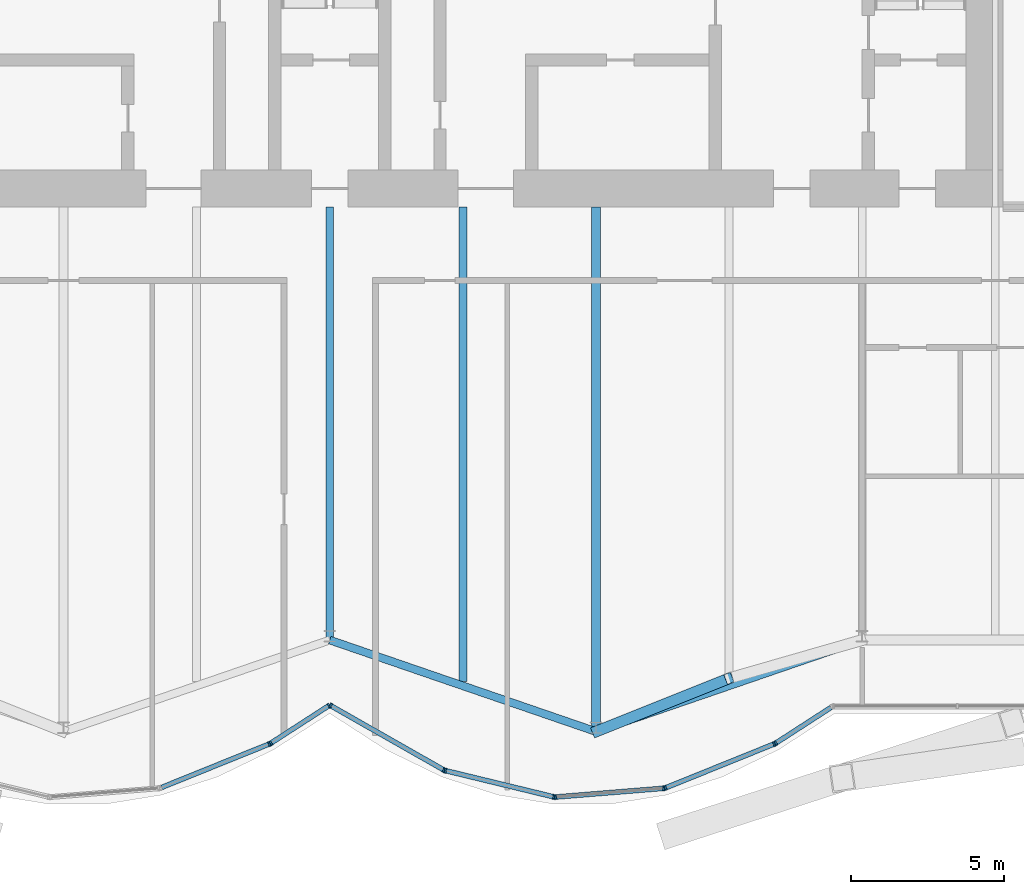
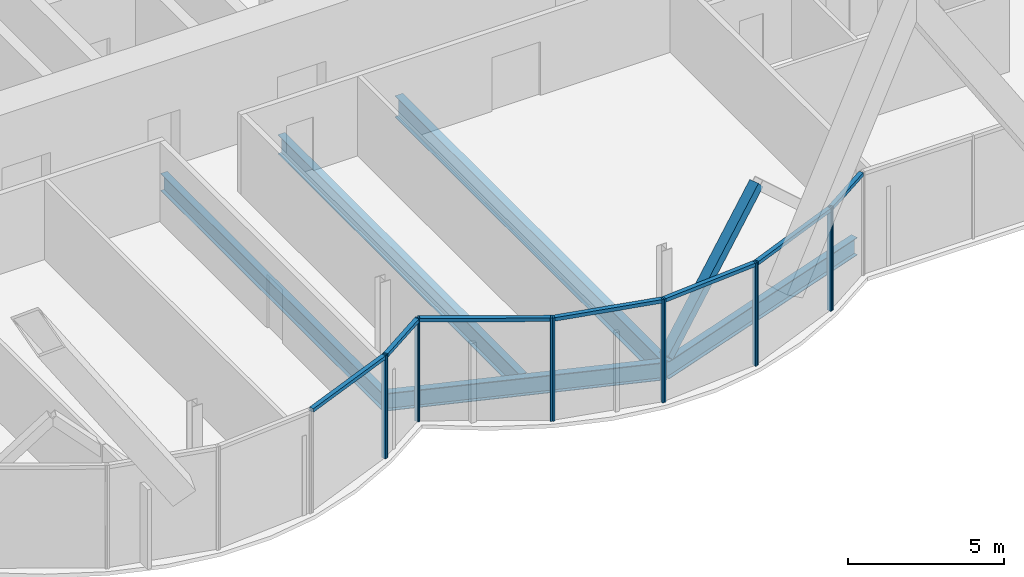
# One storey, part 9 of 22: 20 members, 5 beams, 2 elements without a shape of their own.
"""IFC4 building model written with IfcOpenShell, lengths in metres."""

from ifc_helpers import new_model, si_unit, direction, frame, origin, origin_2d, place, context, subcontext, project, spatial, rectangle, hollow_rectangle, i_section, extrude, material, material_profile, profile_set, type_object, element, aggregate, save


model = new_model("IFC4")

# Units and contexts
model_context = context("Model", 3, precision=1e-05, world=origin(), true_north=direction((0.0, 1.0)))
body_context = subcontext(model_context, "Body", "Model", "MODEL_VIEW")
ifc_project = project(units=[si_unit("LENGTHUNIT", "METRE"), si_unit("AREAUNIT", "SQUARE_METRE"), si_unit("VOLUMEUNIT", "CUBIC_METRE"), si_unit("PLANEANGLEUNIT", "RADIAN"), si_unit("MASSUNIT", "GRAM", prefix="KILO")], contexts=[model_context])

# Site, building, storey
site_placement = place(None, origin())
site = spatial("IfcSite", under=ifc_project, at=site_placement, CompositionType="ELEMENT")
building_placement = place(site_placement, origin())
building = spatial("IfcBuilding", under=site, at=building_placement, Name="Bicima Exchange Tower", CompositionType="ELEMENT")
storey_placement = place(building_placement, frame((0.0, 0.0, 254.0)))
storey = spatial("IfcBuildingStorey", under=building, at=storey_placement, Name="L57", CompositionType="ELEMENT", Elevation=254.0)

# Beams
ifc_material_1 = material(Name="Steel ASTM A992 Gr 50", Category="steel")
ifc_material_profile_1 = material_profile(ifc_material_1, i_section(OverallWidth=0.25390625, OverallDepth=0.67822265625, WebThickness=0.01171875, FlangeThickness=0.016357421875, at=origin_2d()))
ifc_profile_set_1 = profile_set([ifc_material_profile_1], Name="Steel ASTM A992 Gr 50")
beam_type_1 = type_object("IfcBeamType", Name="Floor beam W27x84", PredefinedType="JOIST", material=ifc_profile_set_1)
beam_1_placement = place(storey_placement, frame((0.0, -13.0, -0.489013671875), z_axis=(0.0, -1.0, 0.0), x_axis=(1.0, 0.0, 0.0)))
element("IfcBeam", 1, at=beam_1_placement, inside=storey, type_object=beam_type_1, Name="Floor beam", PredefinedType="JOIST", context=body_context, shape_type="SweptSolid", body=[
    extrude(i_section(OverallWidth=0.25390625, OverallDepth=0.67822265625, WebThickness=0.01171875, FlangeThickness=0.016357421875, at=origin_2d()), origin(), (0.0, 0.0, 1.0), 14.156005859375),
])
ifc_material_profile_2 = material_profile(ifc_material_1, i_section(OverallWidth=0.2666015625, OverallDepth=0.75439453125, WebThickness=0.01318359375, FlangeThickness=0.01708984375, at=origin_2d()))
ifc_profile_set_2 = profile_set([ifc_material_profile_2], Name="Steel ASTM A992 Gr 50")
beam_type_2 = type_object("IfcBeamType", Name="Floor beam W30x99", PredefinedType="JOIST", material=ifc_profile_set_2)
beam_2_placement = place(storey_placement, frame((4.35009765625, -13.0, -0.527099609375), z_axis=(0.0, -1.0, 0.0), x_axis=(1.0, 0.0, 0.0)))
element("IfcBeam", 2, at=beam_2_placement, inside=storey, type_object=beam_type_2, Name="Floor beam", PredefinedType="JOIST", context=body_context, shape_type="SweptSolid", body=[
    extrude(i_section(OverallWidth=0.2666015625, OverallDepth=0.75439453125, WebThickness=0.01318359375, FlangeThickness=0.01708984375, at=origin_2d()), origin(), (0.0, 0.0, 1.0), 15.515869140625),
])
ifc_material_profile_3 = material_profile(ifc_material_1, i_section(OverallWidth=0.2919921875, OverallDepth=0.835693359375, WebThickness=0.013916015625, FlangeThickness=0.018798828125, at=origin_2d()))
ifc_profile_set_3 = profile_set([ifc_material_profile_3], Name="Steel ASTM A992 Gr 50")
beam_type_3 = type_object("IfcBeamType", Name="Floor beam W33x118", PredefinedType="JOIST", material=ifc_profile_set_3)
beam_3_placement = place(storey_placement, frame((8.699951171875, -13.0, -0.56787109375), z_axis=(0.0, -1.0, 0.0), x_axis=(1.0, 0.0, 0.0)))
element("IfcBeam", 3, at=beam_3_placement, inside=storey, type_object=beam_type_3, Name="Floor beam", PredefinedType="JOIST", context=body_context, shape_type="SweptSolid", body=[
    extrude(i_section(OverallWidth=0.2919921875, OverallDepth=0.835693359375, WebThickness=0.013916015625, FlangeThickness=0.018798828125, at=origin_2d()), origin(), (0.0, 0.0, 1.0), 17.011474609375),
])
ifc_material_profile_4 = material_profile(ifc_material_1, i_section(OverallWidth=0.256591796875, OverallDepth=0.693359375, WebThickness=0.014404296875, FlangeThickness=0.023681640625, at=origin_2d()))
ifc_profile_set_4 = profile_set([ifc_material_profile_4], Name="Steel ASTM A992 Gr 50")
beam_type_4 = type_object("IfcBeamType", Name="Front girder W27x114", PredefinedType="BEAM", material=ifc_profile_set_4)
for number, where, z_axis, x_axis, name in (
    (4, (0.0, -27.156005859375, -0.49658203125), (0.945666456746, -0.325138359143, 0.0), (0.325138359143, 0.945666456746, 0.0), "Front girder"),
    (5, (8.699951171875, -30.147216796875, -0.49658203125), (0.945666456746, 0.325138359143, 0.0), (-0.325138359143, 0.945666456746, 0.0), "Front girder"),
):
    element("IfcBeam", number, at=place(storey_placement, frame(where, z_axis=z_axis, x_axis=x_axis)), inside=storey, type_object=beam_type_4, Name=name, PredefinedType="BEAM", context=body_context, shape_type="SweptSolid", body=[
        extrude(i_section(OverallWidth=0.256591796875, OverallDepth=0.693359375, WebThickness=0.014404296875, FlangeThickness=0.023681640625, at=origin_2d()), origin(), (0.0, 0.0, 1.0), 9.19970703125),
    ])

# Curtain wall, members
ifc_material_2 = material(Name="Anodised bronze aluminium", Category="aluminium")
curtain_wall_type = type_object("IfcCurtainWallType", Name="Front glass wall", PredefinedType="NOTDEFINED", material=ifc_material_2)
curtain_wall_1_placement = place(storey_placement, origin())
curtain_wall_1 = element("IfcCurtainWall", 6, at=curtain_wall_1_placement, inside=storey, type_object=curtain_wall_type, Name="Front glass wall L57 run 6", PredefinedType="NOTDEFINED")
ifc_material_profile_5 = material_profile(ifc_material_2, rectangle(XDim=0.159912109375, YDim=0.06005859375, at=origin_2d()))
ifc_profile_set_5 = profile_set([ifc_material_profile_5], Name="Anodised bronze aluminium")
member_type_1 = type_object("IfcMemberType", Name="Front glass wall mullion 60 x 160", PredefinedType="MULLION", material=ifc_profile_set_5)
member_1_placement = place(storey_placement, frame((-1.97412109375, -30.551513671875, 0.0), z_axis=(0.0, 0.0, 1.0), x_axis=(-0.374705304, 0.92714396679, 0.0)))
member_1 = element("IfcMember", 7, at=member_1_placement, type_object=member_type_1, Name="Front glass wall mullion 2", PredefinedType="MULLION", context=body_context, shape_type="SweptSolid", body=[
    extrude(rectangle(XDim=0.159912109375, YDim=0.06005859375, at=origin_2d()), origin(), (0.0, 0.0, 1.0), 4.050048828125),
])
member_2_placement = place(storey_placement, frame((-1.921142578125, -30.524169921875, 0.0), z_axis=(0.0, 0.0, 1.0), x_axis=(-0.542897457326, 0.839798994301, 0.0)))
member_2 = element("IfcMember", 8, at=member_2_placement, type_object=member_type_1, Name="Front glass wall mullion 1", PredefinedType="MULLION", context=body_context, shape_type="SweptSolid", body=[
    extrude(rectangle(XDim=0.159912109375, YDim=0.06005859375, at=origin_2d()), origin(), (0.0, 0.0, 1.0), 4.050048828125),
])
member_3_placement = place(storey_placement, frame((-0.025146484375, -29.29833984375, 0.0), z_axis=(0.0, 0.0, 1.0), x_axis=(-0.542897457326, 0.839798994301, 0.0)))
member_3 = element("IfcMember", 9, at=member_3_placement, type_object=member_type_1, Name="Front glass wall mullion 2", PredefinedType="MULLION", context=body_context, shape_type="SweptSolid", body=[
    extrude(rectangle(XDim=0.159912109375, YDim=0.06005859375, at=origin_2d()), origin(), (0.0, 0.0, 1.0), 4.050048828125),
])

curtain_wall_2_placement = place(storey_placement, origin())
curtain_wall_2 = element("IfcCurtainWall", 10, at=curtain_wall_2_placement, inside=storey, type_object=curtain_wall_type, Name="Front glass wall L57 run 11", PredefinedType="NOTDEFINED")
member_4_placement = place(storey_placement, frame((0.026123046875, -29.297119140625, 0.0), z_axis=(0.0, 0.0, 1.0), x_axis=(0.494330311331, 0.869274147378, 0.0)))
member_4 = element("IfcMember", 11, at=member_4_placement, type_object=member_type_1, Name="Front glass wall mullion 1", PredefinedType="MULLION", context=body_context, shape_type="SweptSolid", body=[
    extrude(rectangle(XDim=0.159912109375, YDim=0.06005859375, at=origin_2d()), origin(), (0.0, 0.0, 1.0), 4.050048828125),
])
member_5_placement = place(storey_placement, frame((3.7265625, -31.4013671875, 0.0), z_axis=(0.0, 0.0, 1.0), x_axis=(0.494330311331, 0.869274147378, 0.0)))
member_5 = element("IfcMember", 12, at=member_5_placement, type_object=member_type_1, Name="Front glass wall mullion 2", PredefinedType="MULLION", context=body_context, shape_type="SweptSolid", body=[
    extrude(rectangle(XDim=0.159912109375, YDim=0.06005859375, at=origin_2d()), origin(), (0.0, 0.0, 1.0), 4.050048828125),
])
member_6_placement = place(storey_placement, frame((3.781982421875, -31.42333984375, 0.0), z_axis=(0.0, 0.0, 1.0), x_axis=(0.235681529503, 0.971830343553, 0.0)))
member_6 = element("IfcMember", 13, at=member_6_placement, type_object=member_type_1, Name="Front glass wall mullion 1", PredefinedType="MULLION", context=body_context, shape_type="SweptSolid", body=[
    extrude(rectangle(XDim=0.159912109375, YDim=0.06005859375, at=origin_2d()), origin(), (0.0, 0.0, 1.0), 4.050048828125),
])
member_7_placement = place(storey_placement, frame((7.322509765625, -32.281982421875, 0.0), z_axis=(0.0, 0.0, 1.0), x_axis=(0.235681529503, 0.971830343553, 0.0)))
member_7 = element("IfcMember", 14, at=member_7_placement, type_object=member_type_1, Name="Front glass wall mullion 2", PredefinedType="MULLION", context=body_context, shape_type="SweptSolid", body=[
    extrude(rectangle(XDim=0.159912109375, YDim=0.06005859375, at=origin_2d()), origin(), (0.0, 0.0, 1.0), 4.050048828125),
])
member_8_placement = place(storey_placement, frame((7.381591796875, -32.28662109375, 0.0), z_axis=(0.0, 0.0, 1.0), x_axis=(-0.080588612633, 0.99674744821, 0.0)))
member_8 = element("IfcMember", 15, at=member_8_placement, type_object=member_type_1, Name="Front glass wall mullion 1", PredefinedType="MULLION", context=body_context, shape_type="SweptSolid", body=[
    extrude(rectangle(XDim=0.159912109375, YDim=0.06005859375, at=origin_2d()), origin(), (0.0, 0.0, 1.0), 4.050048828125),
])
member_9_placement = place(storey_placement, frame((10.916015625, -32.000732421875, 0.0), z_axis=(0.0, 0.0, 1.0), x_axis=(-0.080588612633, 0.99674744821, 0.0)))
member_9 = element("IfcMember", 16, at=member_9_placement, type_object=member_type_1, Name="Front glass wall mullion 2", PredefinedType="MULLION", context=body_context, shape_type="SweptSolid", body=[
    extrude(rectangle(XDim=0.159912109375, YDim=0.06005859375, at=origin_2d()), origin(), (0.0, 0.0, 1.0), 4.050048828125),
])
member_10_placement = place(storey_placement, frame((10.973876953125, -31.9873046875, 0.0), z_axis=(0.0, 0.0, 1.0), x_axis=(-0.374705304, 0.92714396679, 0.0)))
member_10 = element("IfcMember", 17, at=member_10_placement, type_object=member_type_1, Name="Front glass wall mullion 1", PredefinedType="MULLION", context=body_context, shape_type="SweptSolid", body=[
    extrude(rectangle(XDim=0.159912109375, YDim=0.06005859375, at=origin_2d()), origin(), (0.0, 0.0, 1.0), 4.050048828125),
])
member_11_placement = place(storey_placement, frame((14.52587890625, -30.551513671875, 0.0), z_axis=(0.0, 0.0, 1.0), x_axis=(-0.374705304, 0.92714396679, 0.0)))
member_11 = element("IfcMember", 18, at=member_11_placement, type_object=member_type_1, Name="Front glass wall mullion 2", PredefinedType="MULLION", context=body_context, shape_type="SweptSolid", body=[
    extrude(rectangle(XDim=0.159912109375, YDim=0.06005859375, at=origin_2d()), origin(), (0.0, 0.0, 1.0), 4.050048828125),
])
member_12_placement = place(storey_placement, frame((14.578857421875, -30.524169921875, 0.0), z_axis=(0.0, 0.0, 1.0), x_axis=(-0.542909183079, 0.839791413941, 0.0)))
member_12 = element("IfcMember", 19, at=member_12_placement, type_object=member_type_1, Name="Front glass wall mullion 1", PredefinedType="MULLION", context=body_context, shape_type="SweptSolid", body=[
    extrude(rectangle(XDim=0.159912109375, YDim=0.06005859375, at=origin_2d()), origin(), (0.0, 0.0, 1.0), 4.050048828125),
])

# Member
ifc_material_profile_6 = material_profile(ifc_material_2, rectangle(XDim=0.159912109375, YDim=0.139892578125, at=origin_2d()))
ifc_profile_set_6 = profile_set([ifc_material_profile_6], Name="Anodised bronze aluminium")
member_type_2 = type_object("IfcMemberType", Name="Front glass wall transom 140 x 160", PredefinedType="USERDEFINED", material=ifc_profile_set_6)
member_13_placement = place(storey_placement, frame((-5.498291015625, -31.975830078125, 3.97998046875), z_axis=(0.927140215882, 0.374714584842, 0.0), x_axis=(-0.374714584842, 0.927140215882, 0.0)))
member_13 = element("IfcMember", 20, at=member_13_placement, type_object=member_type_2, Name="Front glass wall transom 1.1", ObjectType="TRANSOM", PredefinedType="USERDEFINED", context=body_context, shape_type="SweptSolid", body=[
    extrude(rectangle(XDim=0.159912109375, YDim=0.139892578125, at=origin_2d()), origin(), (0.0, 0.0, 1.0), 3.77099609375),
])

member_14_placement = place(storey_placement, frame((-1.89599609375, -30.5078125, 3.97998046875), z_axis=(0.839811483481, 0.542878137536, 0.0), x_axis=(-0.542878137536, 0.839811483481, 0.0)))
member_14 = element("IfcMember", 21, at=member_14_placement, type_object=member_type_2, Name="Front glass wall transom 1.1", ObjectType="TRANSOM", PredefinedType="USERDEFINED", context=body_context, shape_type="SweptSolid", body=[
    extrude(rectangle(XDim=0.159912109375, YDim=0.139892578125, at=origin_2d()), origin(), (0.0, 0.0, 1.0), 2.19775390625),
])

aggregate(curtain_wall_1, [member_1, member_13, member_2, member_3, member_14])

member_15_placement = place(storey_placement, frame((0.05224609375, -29.311767578125, 3.97998046875), z_axis=(0.869265121745, -0.494346182466, 0.0), x_axis=(0.494346182466, 0.869265121745, 0.0)))
member_15 = element("IfcMember", 22, at=member_15_placement, type_object=member_type_2, Name="Front glass wall transom 1.1", ObjectType="TRANSOM", PredefinedType="USERDEFINED", context=body_context, shape_type="SweptSolid", body=[
    extrude(rectangle(XDim=0.159912109375, YDim=0.139892578125, at=origin_2d()), origin(), (0.0, 0.0, 1.0), 4.19677734375),
])

member_16_placement = place(storey_placement, frame((3.81103515625, -31.430419921875, 3.97998046875), z_axis=(0.971833557815, -0.235668275132, 0.0), x_axis=(0.235668275132, 0.971833557815, 0.0)))
member_16 = element("IfcMember", 23, at=member_16_placement, type_object=member_type_2, Name="Front glass wall transom 1.1", ObjectType="TRANSOM", PredefinedType="USERDEFINED", context=body_context, shape_type="SweptSolid", body=[
    extrude(rectangle(XDim=0.159912109375, YDim=0.139892578125, at=origin_2d()), origin(), (0.0, 0.0, 1.0), 3.583251953125),
])

member_17_placement = place(storey_placement, frame((7.41162109375, -32.2841796875, 3.97998046875), z_axis=(0.9967456465, 0.080610893699, 0.0), x_axis=(-0.080610893699, 0.9967456465, 0.0)))
member_17 = element("IfcMember", 24, at=member_17_placement, type_object=member_type_2, Name="Front glass wall transom 1.1", ObjectType="TRANSOM", PredefinedType="USERDEFINED", context=body_context, shape_type="SweptSolid", body=[
    extrude(rectangle(XDim=0.159912109375, YDim=0.139892578125, at=origin_2d()), origin(), (0.0, 0.0, 1.0), 3.48583984375),
])

member_18_placement = place(storey_placement, frame((11.001708984375, -31.975830078125, 3.97998046875), z_axis=(0.927140215882, 0.374714584842, 0.0), x_axis=(-0.374714584842, 0.927140215882, 0.0)))
member_18 = element("IfcMember", 25, at=member_18_placement, type_object=member_type_2, Name="Front glass wall transom 1.1", ObjectType="TRANSOM", PredefinedType="USERDEFINED", context=body_context, shape_type="SweptSolid", body=[
    extrude(rectangle(XDim=0.159912109375, YDim=0.139892578125, at=origin_2d()), origin(), (0.0, 0.0, 1.0), 3.77099609375),
])

member_19_placement = place(storey_placement, frame((14.60400390625, -30.5078125, 3.97998046875), z_axis=(0.839792890287, 0.542906899407, 0.0), x_axis=(-0.542906899407, 0.839792890287, 0.0)))
member_19 = element("IfcMember", 26, at=member_19_placement, type_object=member_type_2, Name="Front glass wall transom 1.1", ObjectType="TRANSOM", PredefinedType="USERDEFINED", context=body_context, shape_type="SweptSolid", body=[
    extrude(rectangle(XDim=0.159912109375, YDim=0.139892578125, at=origin_2d()), origin(), (0.0, 0.0, 1.0), 2.11669921875),
])

aggregate(curtain_wall_2, [member_4, member_5, member_15, member_6, member_7, member_16, member_8, member_9, member_17, member_10, member_11, member_18, member_12, member_19])

ifc_material_3 = material(Name="Steel ASTM A572 Gr 50", Category="steel")
ifc_material_profile_7 = material_profile(ifc_material_3, hollow_rectangle(XDim=0.355712890625, YDim=0.355712890625, WallThickness=0.0146484375, at=origin_2d()))
ifc_profile_set_7 = profile_set([ifc_material_profile_7], Name="Steel ASTM A572 Gr 50")
member_type_3 = type_object("IfcMemberType", Name="Mega brace HSS14x14x5/8", PredefinedType="BRACE", material=ifc_profile_set_7)
member_20_placement = place(storey_placement, frame((8.699951171875, -30.147216796875, 0.0), z_axis=(0.691366198874, 0.276499917677, 0.667503239377), x_axis=(-0.3713367687, 0.928498252132, 0.0)))
element("IfcMember", 27, at=member_20_placement, inside=storey, type_object=member_type_3, Name="Mega brace front", PredefinedType="BRACE", context=body_context, shape_type="SweptSolid", body=[
    extrude(hollow_rectangle(XDim=0.355712890625, YDim=0.355712890625, WallThickness=0.0146484375, at=origin_2d()), origin(), (0.0, 0.0, 1.0), 6.2919921875),
])

save(model, "model.ifc")
